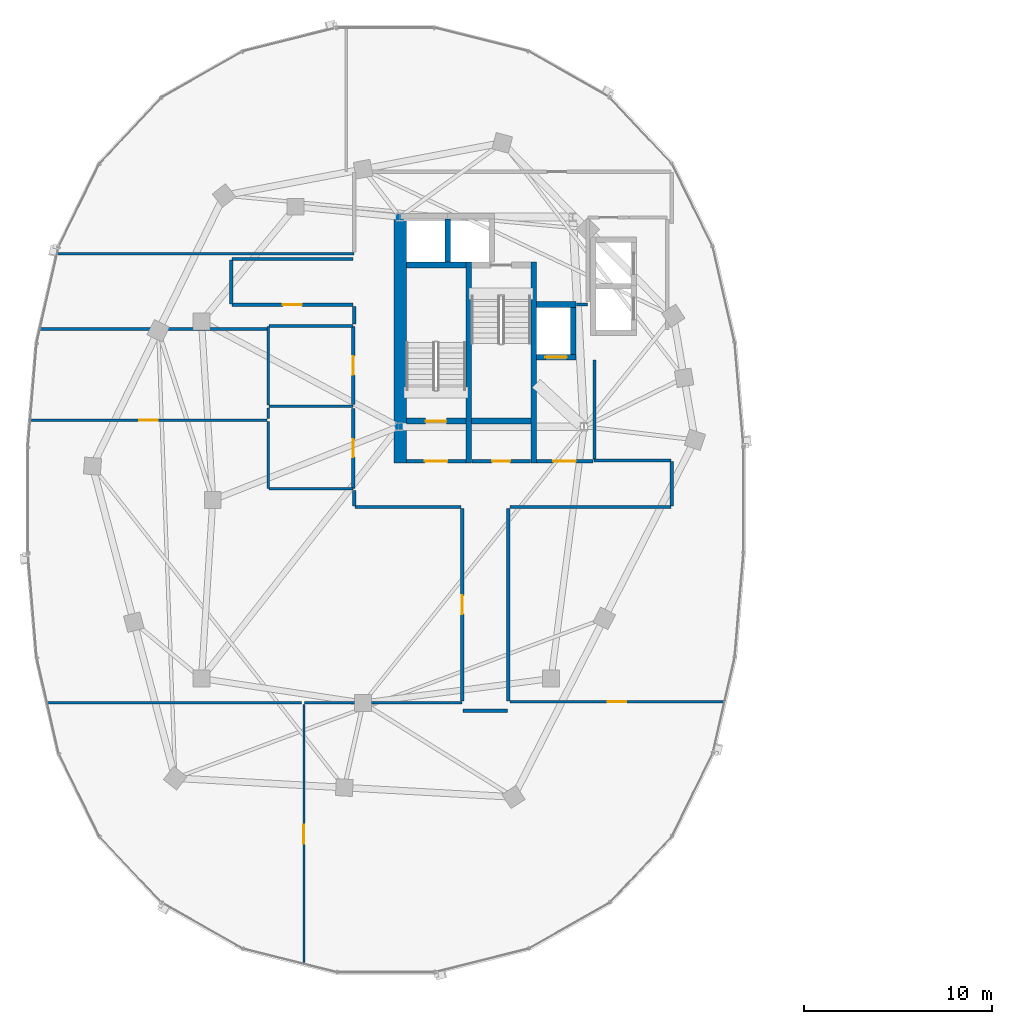
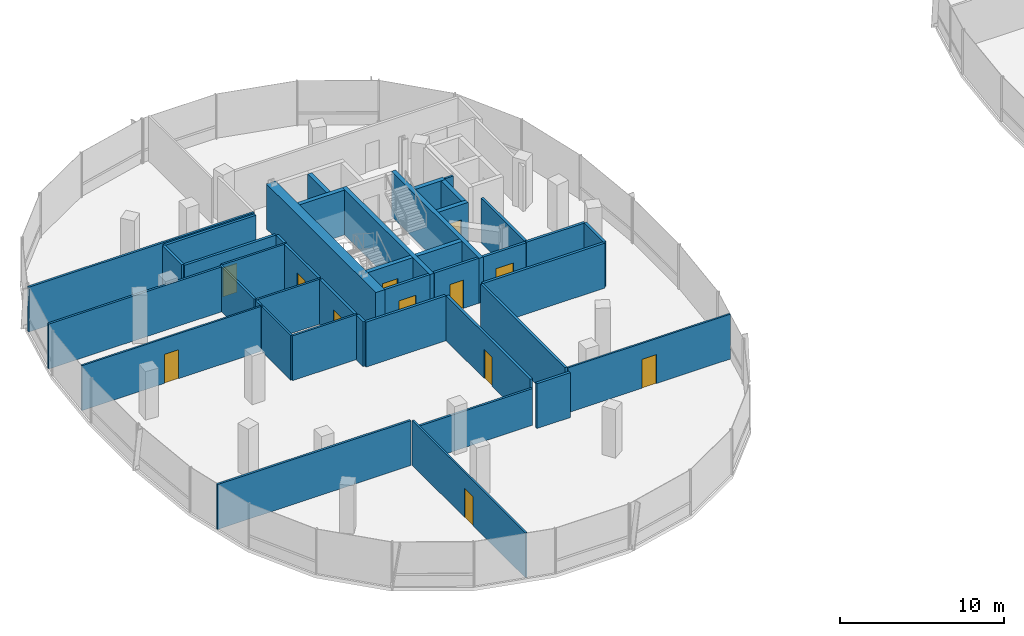
# One storey, part 15 of 25: 42 walls, 12 doors, 12 openings.
"""IFC4 building model written with IfcOpenShell, lengths in metres."""

from ifc_helpers import new_model, si_unit, direction, frame, frame_2d, origin, place, context, subcontext, project, spatial, rectangle, extrude, material, layer, layer_set, type_object, element, fill, save


model = new_model("IFC4")

# Units and contexts
model_context = context("Model", 3, precision=1e-05, world=origin(), true_north=direction((0.0, 1.0)))
body_context = subcontext(model_context, "Body", "Model", "MODEL_VIEW")
ifc_project = project(units=[si_unit("LENGTHUNIT", "METRE"), si_unit("AREAUNIT", "SQUARE_METRE"), si_unit("VOLUMEUNIT", "CUBIC_METRE"), si_unit("PLANEANGLEUNIT", "RADIAN"), si_unit("MASSUNIT", "GRAM", prefix="KILO"), si_unit("THERMODYNAMICTEMPERATUREUNIT", "KELVIN"), si_unit("POWERUNIT", "WATT")], contexts=[model_context])

# Site, building, storey
site_placement = place(None, origin())
site = spatial("IfcSite", under=ifc_project, at=site_placement, CompositionType="ELEMENT")
building_placement = place(site_placement, origin())
building = spatial("IfcBuilding", under=site, at=building_placement, Name="Cundina Bronze Exchange", CompositionType="ELEMENT")
storey_placement = place(building_placement, frame((0.0, 0.0, 213.39990234375)))
storey = spatial("IfcBuildingStorey", under=building, at=storey_placement, Name="L56", CompositionType="ELEMENT", Elevation=213.39990234375)

# Wall
ifc_material_1 = material(Name="Gypsum Fireboard Partition EI120")
ifc_layer_1 = layer(ifc_material_1, 0.179931640625, Name="Gypsum Fireboard Partition EI120")
ifc_layer_set_1 = layer_set([ifc_layer_1], Name="Gypsum Fireboard Partition EI120")
wall_type_1 = type_object("IfcWallType", Name="WL-COR-180", PredefinedType="PARTITIONING", material=ifc_layer_set_1)
wall_1_placement = place(storey_placement, frame((-20.889892578125, 2.14990234375, 0.0), z_axis=(0.0, 0.0, 1.0), x_axis=(0.0, 1.0, 0.0)))
element("IfcWall", 1, at=wall_1_placement, inside=storey, type_object=wall_type_1, Name="L56 W Firefighting Lobby Side Wall", PredefinedType="PARTITIONING", context=body_context, shape_type="SweptSolid", body=[
    extrude(rectangle(XDim=5.300048828125, YDim=0.179931640625, at=frame_2d((2.64990234375, 0.0))), origin(), (0.0, 0.0, 1.0), 3.340087890625),
])

# Wall, opening, door
wall_2_placement = place(storey_placement, frame((-23.97998046875, 2.06005859375, 0.0), z_axis=(0.0, 0.0, 1.0), x_axis=(1.0, 0.0, 0.0)))
wall_2 = element("IfcWall", 2, at=wall_2_placement, inside=storey, type_object=wall_type_1, Name="L56 W Firefighting Lobby Exit Wall", PredefinedType="PARTITIONING", context=body_context, shape_type="SweptSolid", body=[
    extrude(rectangle(XDim=3.0, YDim=0.179931640625, at=frame_2d((1.5, 0.0))), origin(), (0.0, 0.0, 1.0), 3.340087890625),
])
opening_1_placement = place(wall_2_placement, frame((0.89990234375, 0.0, 0.0)))
opening_1 = element("IfcOpeningElement", 3, at=opening_1_placement, cuts=wall_2, Name="Opening DF-01", PredefinedType="OPENING", context=body_context, shape_type="SweptSolid", body=[
    extrude(rectangle(XDim=1.199951171875, YDim=2.14990234375, at=frame_2d((0.60009765625, 1.074951171875))), frame((0.0, 0.099853515625, 0.0), z_axis=(0.0, -1.0, 0.0), x_axis=(1.0, 0.0, 0.0)), (0.0, 0.0, 1.0), 0.199951171875),
])
ifc_material_2 = material(Name="Steel ASTM A36 Painted", Category="steel")
door_type_1 = type_object("IfcDoorType", Name="DR-FFL-1200", OperationType="NOTDEFINED", PredefinedType="DOOR", material=ifc_material_2)
door_1_placement = place(opening_1_placement, origin())
door_1 = element("IfcDoor", 4, at=door_1_placement, inside=storey, type_object=door_type_1, Name="L56 W Firefighting Lobby Door", OperationType="SINGLE_SWING_RIGHT", OverallHeight=2.14990234375, OverallWidth=1.199951171875, PredefinedType="DOOR", context=body_context, shape_type="SweptSolid", body=[
    extrude(rectangle(XDim=1.199951171875, YDim=2.14990234375, at=frame_2d((0.60009765625, 1.074951171875))), frame((0.0, 0.02490234375, 0.0), z_axis=(0.0, -1.0, 0.0), x_axis=(1.0, 0.0, 0.0)), (0.0, 0.0, 1.0), 0.050048828125),
])
fill(opening_1, door_1)

wall_3_placement = place(storey_placement, frame((-30.89990234375, 2.06005859375, 0.0), z_axis=(0.0, 0.0, 1.0), x_axis=(1.0, 0.0, 0.0)))
wall_3 = element("IfcWall", 5, at=wall_3_placement, inside=storey, type_object=wall_type_1, Name="L56 W Stair Vestibule Exit Wall", PredefinedType="PARTITIONING", context=body_context, shape_type="SweptSolid", body=[
    extrude(rectangle(XDim=3.159912109375, YDim=0.179931640625, at=frame_2d((1.580078125, 0.0))), origin(), (0.0, 0.0, 1.0), 3.340087890625),
])
opening_2_placement = place(wall_3_placement, frame((0.97998046875, 0.0, 0.0)))
opening_2 = element("IfcOpeningElement", 6, at=opening_2_placement, cuts=wall_3, Name="Opening DF-01", PredefinedType="OPENING", context=body_context, shape_type="SweptSolid", body=[
    extrude(rectangle(XDim=1.199951171875, YDim=2.14990234375, at=frame_2d((0.60009765625, 1.074951171875))), frame((0.0, 0.099853515625, 0.0), z_axis=(0.0, -1.0, 0.0), x_axis=(1.0, 0.0, 0.0)), (0.0, 0.0, 1.0), 0.199951171875),
])
door_2_placement = place(opening_2_placement, origin())
door_2 = element("IfcDoor", 7, at=door_2_placement, inside=storey, type_object=door_type_1, Name="L56 W Stair Vestibule Door", OperationType="SINGLE_SWING_LEFT", OverallHeight=2.14990234375, OverallWidth=1.199951171875, PredefinedType="DOOR", context=body_context, shape_type="SweptSolid", body=[
    extrude(rectangle(XDim=1.199951171875, YDim=2.14990234375, at=frame_2d((0.60009765625, 1.074951171875))), frame((0.0, 0.02490234375, 0.0), z_axis=(0.0, -1.0, 0.0), x_axis=(1.0, 0.0, 0.0)), (0.0, 0.0, 1.0), 0.050048828125),
])
fill(opening_2, door_2)

wall_4_placement = place(storey_placement, frame((-27.419921875, 2.070068359375, 0.0), z_axis=(0.0, 0.0, 1.0), x_axis=(1.0, 0.0, 0.0)))
wall_4 = element("IfcWall", 8, at=wall_4_placement, inside=storey, type_object=wall_type_1, Name="L56 Interior Partition 006", PredefinedType="PARTITIONING", context=body_context, shape_type="SweptSolid", body=[
    extrude(rectangle(XDim=3.119873046875, YDim=0.179931640625, at=frame_2d((1.56005859375, 0.0))), origin(), (0.0, 0.0, 1.0), 3.340087890625),
])
opening_3_placement = place(wall_4_placement, frame((1.0849609375, 0.0, 0.0)))
opening_3 = element("IfcOpeningElement", 9, at=opening_3_placement, cuts=wall_4, Name="Opening DW-01", PredefinedType="OPENING", context=body_context, shape_type="SweptSolid", body=[
    extrude(rectangle(XDim=0.949951171875, YDim=2.10009765625, at=frame_2d((0.47509765625, 1.050048828125))), frame((0.0, 0.099853515625, 0.0), z_axis=(0.0, -1.0, 0.0), x_axis=(1.0, 0.0, 0.0)), (0.0, 0.0, 1.0), 0.199951171875),
])
ifc_material_3 = material(Name="Solid Andean Oak Timber Grade A", Category="wood")
door_type_2 = type_object("IfcDoorType", Name="DR-WC-950", OperationType="NOTDEFINED", PredefinedType="DOOR", material=ifc_material_3)
door_3_placement = place(opening_3_placement, origin())
door_3 = element("IfcDoor", 10, at=door_3_placement, inside=storey, type_object=door_type_2, Name="L56 Interior Door 006", OperationType="SINGLE_SWING_LEFT", OverallHeight=2.10009765625, OverallWidth=0.949951171875, PredefinedType="DOOR", context=body_context, shape_type="SweptSolid", body=[
    extrude(rectangle(XDim=0.949951171875, YDim=2.10009765625, at=frame_2d((0.47509765625, 1.050048828125))), frame((0.0, 0.02490234375, 0.0), z_axis=(0.0, -1.0, 0.0), x_axis=(1.0, 0.0, 0.0)), (0.0, 0.0, 1.0), 0.050048828125),
])
fill(opening_3, door_3)

wall_5_placement = place(storey_placement, frame((-33.719970703125, 0.6201171875, 0.0), z_axis=(0.0, 0.0, 1.0), x_axis=(0.0, 1.0, 0.0)))
wall_5 = element("IfcWall", 11, at=wall_5_placement, inside=storey, type_object=wall_type_1, Name="L56 Interior Partition 013", PredefinedType="PARTITIONING", context=body_context, shape_type="SweptSolid", body=[
    extrude(rectangle(XDim=4.259765625, YDim=0.179931640625, at=frame_2d((2.1298828125, 0.0))), origin(), (0.0, 0.0, 1.0), 3.340087890625),
])
opening_4_placement = place(wall_5_placement, frame((1.655029296875, 0.0, 0.0)))
opening_4 = element("IfcOpeningElement", 12, at=opening_4_placement, cuts=wall_5, Name="Opening DW-01", PredefinedType="OPENING", context=body_context, shape_type="SweptSolid", body=[
    extrude(rectangle(XDim=0.949951171875, YDim=2.10009765625, at=frame_2d((0.47509765625, 1.050048828125))), frame((0.0, 0.099853515625, 0.0), z_axis=(0.0, -1.0, 0.0), x_axis=(1.0, 0.0, 0.0)), (0.0, 0.0, 1.0), 0.199951171875),
])
door_4_placement = place(opening_4_placement, origin())
door_4 = element("IfcDoor", 13, at=door_4_placement, inside=storey, type_object=door_type_2, Name="L56 Interior Door 013", OperationType="SINGLE_SWING_LEFT", OverallHeight=2.10009765625, OverallWidth=0.949951171875, PredefinedType="DOOR", context=body_context, shape_type="SweptSolid", body=[
    extrude(rectangle(XDim=0.949951171875, YDim=2.10009765625, at=frame_2d((0.47509765625, 1.050048828125))), frame((0.0, 0.02490234375, 0.0), z_axis=(0.0, -1.0, 0.0), x_axis=(1.0, 0.0, 0.0)), (0.0, 0.0, 1.0), 0.050048828125),
])
fill(opening_4, door_4)

wall_6_placement = place(storey_placement, frame((-33.719970703125, 5.080078125, 0.0), z_axis=(0.0, 0.0, 1.0), x_axis=(0.0, 1.0, 0.0)))
wall_6 = element("IfcWall", 14, at=wall_6_placement, inside=storey, type_object=wall_type_1, Name="L56 Interior Partition 014", PredefinedType="PARTITIONING", context=body_context, shape_type="SweptSolid", body=[
    extrude(rectangle(XDim=4.159912109375, YDim=0.179931640625, at=frame_2d((2.080078125, 0.0))), origin(), (0.0, 0.0, 1.0), 3.340087890625),
])
opening_5_placement = place(wall_6_placement, frame((1.580078125, 0.0, 0.0)))
opening_5 = element("IfcOpeningElement", 15, at=opening_5_placement, cuts=wall_6, Name="Opening DO-01", PredefinedType="OPENING", context=body_context, shape_type="SweptSolid", body=[
    extrude(rectangle(XDim=1.0, YDim=2.14990234375, at=frame_2d((0.5, 1.074951171875))), frame((0.0, 0.099853515625, 0.0), z_axis=(0.0, -1.0, 0.0), x_axis=(1.0, 0.0, 0.0)), (0.0, 0.0, 1.0), 0.199951171875),
])
door_type_3 = type_object("IfcDoorType", Name="DR-OFF-1000", OperationType="NOTDEFINED", PredefinedType="DOOR", material=ifc_material_3)
door_5_placement = place(opening_5_placement, origin())
door_5 = element("IfcDoor", 16, at=door_5_placement, inside=storey, type_object=door_type_3, Name="L56 Interior Door 014", OperationType="SINGLE_SWING_LEFT", OverallHeight=2.14990234375, OverallWidth=1.0, PredefinedType="DOOR", context=body_context, shape_type="SweptSolid", body=[
    extrude(rectangle(XDim=1.0, YDim=2.14990234375, at=frame_2d((0.5, 1.074951171875))), frame((0.0, 0.02490234375, 0.0), z_axis=(0.0, -1.0, 0.0), x_axis=(1.0, 0.0, 0.0)), (0.0, 0.0, 1.0), 0.050048828125),
])
fill(opening_5, door_5)

# Wall
wall_7_placement = place(storey_placement, frame((-27.87841796875, -11.219970703125, 0.0), z_axis=(0.0, 0.0, 1.0), x_axis=(1.0, 0.0, 0.0)))
element("IfcWall", 17, at=wall_7_placement, inside=storey, type_object=wall_type_1, Name="L56 Interior Partition 020", PredefinedType="PARTITIONING", context=body_context, shape_type="SweptSolid", body=[
    extrude(rectangle(XDim=2.35693359375, YDim=0.179931640625, at=frame_2d((1.178466796875, 0.0))), origin(), (0.0, 0.0, 1.0), 3.340087890625),
])

# Wall, opening, door
wall_8_placement = place(storey_placement, frame((-27.919921875, -0.449951171875, 0.0), z_axis=(0.0, 0.0, 1.0), x_axis=(0.0, -1.0, 0.0)))
wall_8 = element("IfcWall", 18, at=wall_8_placement, inside=storey, type_object=wall_type_1, Name="L56 Interior Partition 021", PredefinedType="PARTITIONING", context=body_context, shape_type="SweptSolid", body=[
    extrude(rectangle(XDim=10.25, YDim=0.179931640625, at=frame_2d((5.125, 0.0))), origin(), (0.0, 0.0, 1.0), 3.340087890625),
])
opening_6_placement = place(wall_8_placement, frame((4.625, 0.0, 0.0)))
opening_6 = element("IfcOpeningElement", 19, at=opening_6_placement, cuts=wall_8, Name="Opening DO-01", PredefinedType="OPENING", context=body_context, shape_type="SweptSolid", body=[
    extrude(rectangle(XDim=1.0, YDim=2.14990234375, at=frame_2d((0.5, 1.074951171875))), frame((0.0, 0.099853515625, 0.0), z_axis=(0.0, -1.0, 0.0), x_axis=(1.0, 0.0, 0.0)), (0.0, 0.0, 1.0), 0.199951171875),
])
door_6_placement = place(opening_6_placement, origin())
door_6 = element("IfcDoor", 20, at=door_6_placement, inside=storey, type_object=door_type_3, Name="L56 Interior Door 021", OperationType="SINGLE_SWING_RIGHT", OverallHeight=2.14990234375, OverallWidth=1.0, PredefinedType="DOOR", context=body_context, shape_type="SweptSolid", body=[
    extrude(rectangle(XDim=1.0, YDim=2.14990234375, at=frame_2d((0.5, 1.074951171875))), frame((0.0, 0.02490234375, 0.0), z_axis=(0.0, -1.0, 0.0), x_axis=(1.0, 0.0, 0.0)), (0.0, 0.0, 1.0), 0.050048828125),
])
fill(opening_6, door_6)

# Walls
wall_9_placement = place(storey_placement, frame((-33.62841796875, -0.3701171875, 0.0), z_axis=(0.0, 0.0, 1.0), x_axis=(1.0, 0.0, 0.0)))
element("IfcWall", 21, at=wall_9_placement, inside=storey, type_object=wall_type_1, Name="L56 Interior Partition 022", PredefinedType="PARTITIONING", context=body_context, shape_type="SweptSolid", body=[
    extrude(rectangle(XDim=5.62841796875, YDim=0.179931640625, at=frame_2d((2.814208984375, 0.0))), origin(), (0.0, 0.0, 1.0), 3.340087890625),
])
wall_10_placement = place(storey_placement, frame((-33.669921875, 0.508544921875, 0.0), z_axis=(0.0, 0.0, 1.0), x_axis=(0.0, -1.0, 0.0)))
element("IfcWall", 22, at=wall_10_placement, inside=storey, type_object=wall_type_1, Name="L56 Interior Partition 023", PredefinedType="PARTITIONING", context=body_context, shape_type="SweptSolid", body=[
    extrude(rectangle(XDim=0.837158203125, YDim=0.179931640625, at=frame_2d((0.41845703125, 0.0))), origin(), (0.0, 0.0, 1.0), 3.340087890625),
])
wall_11_placement = place(storey_placement, frame((-25.47998046875, -10.699951171875, 0.0), z_axis=(0.0, 0.0, 1.0), x_axis=(0.0, 1.0, 0.0)))
element("IfcWall", 23, at=wall_11_placement, inside=storey, type_object=wall_type_1, Name="L56 Interior Partition 025", PredefinedType="PARTITIONING", context=body_context, shape_type="SweptSolid", body=[
    extrude(rectangle(XDim=10.25, YDim=0.179931640625, at=frame_2d((5.125, 0.0))), origin(), (0.0, 0.0, 1.0), 3.340087890625),
])
wall_12_placement = place(storey_placement, frame((-25.39990234375, -0.3701171875, 0.0), z_axis=(0.0, 0.0, 1.0), x_axis=(1.0, 0.0, 0.0)))
element("IfcWall", 24, at=wall_12_placement, inside=storey, type_object=wall_type_1, Name="L56 Interior Partition 026", PredefinedType="PARTITIONING", context=body_context, shape_type="SweptSolid", body=[
    extrude(rectangle(XDim=8.578369140625, YDim=0.179931640625, at=frame_2d((4.2890625, 0.0))), origin(), (0.0, 0.0, 1.0), 3.340087890625),
])
wall_13_placement = place(storey_placement, frame((-16.821533203125, 2.10009765625, 0.0), z_axis=(0.0, 0.0, 1.0), x_axis=(-1.0, 0.0, 0.0)))
element("IfcWall", 25, at=wall_13_placement, inside=storey, type_object=wall_type_1, Name="L56 Interior Partition 028", PredefinedType="PARTITIONING", context=body_context, shape_type="SweptSolid", body=[
    extrude(rectangle(XDim=4.098388671875, YDim=0.179931640625, at=frame_2d((2.04931640625, 0.0))), origin(), (0.0, 0.0, 1.0), 3.340087890625),
])
wall_14_placement = place(storey_placement, frame((-16.780029296875, -0.32861328125, 0.0), z_axis=(0.0, 0.0, 1.0), x_axis=(0.0, 1.0, 0.0)))
element("IfcWall", 26, at=wall_14_placement, inside=storey, type_object=wall_type_1, Name="L56 Interior Partition 030", PredefinedType="PARTITIONING", context=body_context, shape_type="SweptSolid", body=[
    extrude(rectangle(XDim=2.38720703125, YDim=0.179931640625, at=frame_2d((1.193603515625, 0.0))), origin(), (0.0, 0.0, 1.0), 3.340087890625),
])
wall_15_placement = place(storey_placement, frame((-33.75, 12.820068359375, 0.0), z_axis=(0.0, 0.0, 1.0), x_axis=(-1.0, 0.0, 0.0)))
element("IfcWall", 27, at=wall_15_placement, inside=storey, type_object=wall_type_1, Name="L56 Interior Partition 031", PredefinedType="PARTITIONING", context=body_context, shape_type="SweptSolid", body=[
    extrude(rectangle(XDim=6.428466796875, YDim=0.179931640625, at=frame_2d((3.21435546875, 0.0))), origin(), (0.0, 0.0, 1.0), 3.340087890625),
])

# Wall, opening, door
wall_16_placement = place(storey_placement, frame((-40.178466796875, 10.3798828125, 0.0), z_axis=(0.0, 0.0, 1.0), x_axis=(1.0, 0.0, 0.0)))
wall_16 = element("IfcWall", 28, at=wall_16_placement, inside=storey, type_object=wall_type_1, Name="L56 Interior Partition 032", PredefinedType="PARTITIONING", context=body_context, shape_type="SweptSolid", body=[
    extrude(rectangle(XDim=6.428466796875, YDim=0.179931640625, at=frame_2d((3.21435546875, 0.0))), origin(), (0.0, 0.0, 1.0), 3.340087890625),
])
opening_7_placement = place(wall_16_placement, frame((2.714111328125, 0.0, 0.0)))
opening_7 = element("IfcOpeningElement", 29, at=opening_7_placement, cuts=wall_16, Name="Opening DO-01", PredefinedType="OPENING", context=body_context, shape_type="SweptSolid", body=[
    extrude(rectangle(XDim=1.0, YDim=2.14990234375, at=frame_2d((0.5, 1.074951171875))), frame((0.0, 0.099853515625, 0.0), z_axis=(0.0, -1.0, 0.0), x_axis=(1.0, 0.0, 0.0)), (0.0, 0.0, 1.0), 0.199951171875),
])
door_7_placement = place(opening_7_placement, origin())
door_7 = element("IfcDoor", 30, at=door_7_placement, inside=storey, type_object=door_type_3, Name="L56 Interior Door 032", OperationType="SINGLE_SWING_LEFT", OverallHeight=2.14990234375, OverallWidth=1.0, PredefinedType="DOOR", context=body_context, shape_type="SweptSolid", body=[
    extrude(rectangle(XDim=1.0, YDim=2.14990234375, at=frame_2d((0.5, 1.074951171875))), frame((0.0, 0.02490234375, 0.0), z_axis=(0.0, -1.0, 0.0), x_axis=(1.0, 0.0, 0.0)), (0.0, 0.0, 1.0), 0.050048828125),
])
fill(opening_7, door_7)

# Walls
wall_17_placement = place(storey_placement, frame((-40.219970703125, 12.778564453125, 0.0), z_axis=(0.0, 0.0, 1.0), x_axis=(0.0, -1.0, 0.0)))
element("IfcWall", 31, at=wall_17_placement, inside=storey, type_object=wall_type_1, Name="L56 Interior Partition 033", PredefinedType="PARTITIONING", context=body_context, shape_type="SweptSolid", body=[
    extrude(rectangle(XDim=2.357177734375, YDim=0.179931640625, at=frame_2d((1.1787109375, 0.0))), origin(), (0.0, 0.0, 1.0), 3.340087890625),
])
wall_18_placement = place(storey_placement, frame((-33.669921875, 10.300048828125, 0.0), z_axis=(0.0, 0.0, 1.0), x_axis=(0.0, -1.0, 0.0)))
element("IfcWall", 32, at=wall_18_placement, inside=storey, type_object=wall_type_1, Name="L56 Interior Partition 034", PredefinedType="PARTITIONING", context=body_context, shape_type="SweptSolid", body=[
    extrude(rectangle(XDim=0.94873046875, YDim=0.179931640625, at=frame_2d((0.474365234375, 0.0))), origin(), (0.0, 0.0, 1.0), 3.340087890625),
])
ifc_material_4 = material(Name="Concrete C50/60", Category="concrete")
ifc_layer_2 = layer(ifc_material_4, 0.64990234375, Name="Concrete C50/60", Category="concrete")
ifc_layer_set_2 = layer_set([ifc_layer_2], Name="Concrete C50/60")
wall_type_2 = type_object("IfcWallType", Name="WL-CORE-650", PredefinedType="SHEAR", material=ifc_layer_set_2)
wall_19_placement = place(storey_placement, frame((-31.22509765625, 1.969970703125, 0.0), z_axis=(0.0, 0.0, 1.0), x_axis=(0.0, 1.0, 0.0)))
element("IfcWall", 33, at=wall_19_placement, inside=storey, type_object=wall_type_2, Name="L56 W Primary Core Shear Spine Wall", PredefinedType="SHEAR", context=body_context, shape_type="SweptSolid", body=[
    extrude(rectangle(XDim=13.330078125, YDim=0.64990234375, at=frame_2d((6.6650390625, 0.0))), origin(), (0.0, 0.0, 1.0), 3.340087890625),
])

# Wall, opening, door
ifc_material_5 = material(Name="Gypsum Acoustic Partition EI60")
ifc_layer_3 = layer(ifc_material_5, 0.125, Name="Gypsum Acoustic Partition EI60")
ifc_layer_set_3 = layer_set([ifc_layer_3], Name="Gypsum Acoustic Partition EI60")
wall_type_3 = type_object("IfcWallType", Name="WL-OFF-125", PredefinedType="PARTITIONING", material=ifc_layer_set_3)
wall_20_placement = place(storey_placement, frame((-25.39990234375, -10.739990234375, 0.0), z_axis=(0.0, 0.0, 1.0), x_axis=(1.0, 0.0, 0.0)))
wall_20 = element("IfcWall", 34, at=wall_20_placement, inside=storey, type_object=wall_type_3, Name="L56 Interior Partition 035", PredefinedType="PARTITIONING", context=body_context, shape_type="SweptSolid", body=[
    extrude(rectangle(XDim=11.414794921875, YDim=0.125, at=frame_2d((5.70751953125, 0.0))), origin(), (0.0, 0.0, 1.0), 3.340087890625),
])
opening_8_placement = place(wall_20_placement, frame((5.20751953125, 0.0, 0.0)))
opening_8 = element("IfcOpeningElement", 35, at=opening_8_placement, cuts=wall_20, Name="Opening DO-01", PredefinedType="OPENING", context=body_context, shape_type="SweptSolid", body=[
    extrude(rectangle(XDim=1.0, YDim=2.14990234375, at=frame_2d((0.5, 1.074951171875))), frame((0.0, 0.072509765625, 0.0), z_axis=(0.0, -1.0, 0.0), x_axis=(1.0, 0.0, 0.0)), (0.0, 0.0, 1.0), 0.14501953125),
])
door_8_placement = place(opening_8_placement, origin())
door_8 = element("IfcDoor", 36, at=door_8_placement, inside=storey, type_object=door_type_3, Name="L56 Interior Door 035", OperationType="SINGLE_SWING_LEFT", OverallHeight=2.14990234375, OverallWidth=1.0, PredefinedType="DOOR", context=body_context, shape_type="SweptSolid", body=[
    extrude(rectangle(XDim=1.0, YDim=2.14990234375, at=frame_2d((0.5, 1.074951171875))), frame((0.0, 0.02490234375, 0.0), z_axis=(0.0, -1.0, 0.0), x_axis=(1.0, 0.0, 0.0)), (0.0, 0.0, 1.0), 0.050048828125),
])
fill(opening_8, door_8)

wall_21_placement = place(storey_placement, frame((-36.35009765625, -10.8798828125, 0.0), z_axis=(0.0, 0.0, 1.0), x_axis=(0.0, -1.0, 0.0)))
wall_21 = element("IfcWall", 37, at=wall_21_placement, inside=storey, type_object=wall_type_3, Name="L56 Interior Partition 036", PredefinedType="PARTITIONING", context=body_context, shape_type="SweptSolid", body=[
    extrude(rectangle(XDim=13.794189453125, YDim=0.125, at=frame_2d((6.89697265625, 0.0))), origin(), (0.0, 0.0, 1.0), 3.340087890625),
])
opening_9_placement = place(wall_21_placement, frame((6.39697265625, 0.0, 0.0)))
opening_9 = element("IfcOpeningElement", 38, at=opening_9_placement, cuts=wall_21, Name="Opening DO-01", PredefinedType="OPENING", context=body_context, shape_type="SweptSolid", body=[
    extrude(rectangle(XDim=1.0, YDim=2.14990234375, at=frame_2d((0.5, 1.074951171875))), frame((0.0, 0.072509765625, 0.0), z_axis=(0.0, -1.0, 0.0), x_axis=(1.0, 0.0, 0.0)), (0.0, 0.0, 1.0), 0.14501953125),
])
door_9_placement = place(opening_9_placement, origin())
door_9 = element("IfcDoor", 39, at=door_9_placement, inside=storey, type_object=door_type_3, Name="L56 Interior Door 036", OperationType="SINGLE_SWING_RIGHT", OverallHeight=2.14990234375, OverallWidth=1.0, PredefinedType="DOOR", context=body_context, shape_type="SweptSolid", body=[
    extrude(rectangle(XDim=1.0, YDim=2.14990234375, at=frame_2d((0.5, 1.074951171875))), frame((0.0, 0.02490234375, 0.0), z_axis=(0.0, -1.0, 0.0), x_axis=(1.0, 0.0, 0.0)), (0.0, 0.0, 1.0), 0.050048828125),
])
fill(opening_9, door_9)

wall_22_placement = place(storey_placement, frame((-38.320068359375, 4.25, 0.0), z_axis=(0.0, 0.0, 1.0), x_axis=(-1.0, 0.0, 0.0)))
wall_22 = element("IfcWall", 40, at=wall_22_placement, inside=storey, type_object=wall_type_3, Name="L56 Interior Partition 037", PredefinedType="PARTITIONING", context=body_context, shape_type="SweptSolid", body=[
    extrude(rectangle(XDim=12.600341796875, YDim=0.125, at=frame_2d((6.30029296875, 0.0))), origin(), (0.0, 0.0, 1.0), 3.340087890625),
])
opening_10_placement = place(wall_22_placement, frame((5.80029296875, 0.0, 0.0)))
opening_10 = element("IfcOpeningElement", 41, at=opening_10_placement, cuts=wall_22, Name="Opening DO-01", PredefinedType="OPENING", context=body_context, shape_type="SweptSolid", body=[
    extrude(rectangle(XDim=1.0, YDim=2.14990234375, at=frame_2d((0.5, 1.074951171875))), frame((0.0, 0.072509765625, 0.0), z_axis=(0.0, -1.0, 0.0), x_axis=(1.0, 0.0, 0.0)), (0.0, 0.0, 1.0), 0.14501953125),
])
door_10_placement = place(opening_10_placement, origin())
door_10 = element("IfcDoor", 42, at=door_10_placement, inside=storey, type_object=door_type_3, Name="L56 Interior Door 037", OperationType="SINGLE_SWING_LEFT", OverallHeight=2.14990234375, OverallWidth=1.0, PredefinedType="DOOR", context=body_context, shape_type="SweptSolid", body=[
    extrude(rectangle(XDim=1.0, YDim=2.14990234375, at=frame_2d((0.5, 1.074951171875))), frame((0.0, 0.02490234375, 0.0), z_axis=(0.0, -1.0, 0.0), x_axis=(1.0, 0.0, 0.0)), (0.0, 0.0, 1.0), 0.050048828125),
])
fill(opening_10, door_10)

# Walls
ifc_layer_4 = layer(ifc_material_4, 0.300048828125, Name="Concrete C50/60", Category="concrete")
ifc_layer_set_4 = layer_set([ifc_layer_4], Name="Concrete C50/60")
wall_type_4 = type_object("IfcWallType", Name="WL-SHFT-300", PredefinedType="SHEAR", material=ifc_layer_set_4)
for number, where, z_axis, x_axis, name in (
    (43, (-27.590087890625, 1.969970703125, 0.0), (0.0, 0.0, 1.0), (0.0, 1.0, 0.0), "L56 W Stair Shaft Dividing Shear Wall"),
    (44, (-24.1298828125, 1.969970703125, 0.0), (0.0, 0.0, 1.0), (0.0, 1.0, 0.0), "L56 W Stair 2 East Shear Wall"),
):
    element("IfcWall", number, at=place(storey_placement, frame(where, z_axis=z_axis, x_axis=x_axis)), inside=storey, type_object=wall_type_4, Name=name, PredefinedType="SHEAR", context=body_context, shape_type="SweptSolid", body=[
        extrude(rectangle(XDim=10.679931640625, YDim=0.300048828125, at=frame_2d((5.33984375, 0.0))), origin(), (0.0, 0.0, 1.0), 3.340087890625),
    ])

# Wall, opening, door
wall_23_placement = place(storey_placement, frame((-30.89990234375, 4.199951171875, 0.0), z_axis=(0.0, 0.0, 1.0), x_axis=(1.0, 0.0, 0.0)))
wall_23 = element("IfcWall", 45, at=wall_23_placement, inside=storey, type_object=wall_type_4, Name="L56 Stair W1 Landing Wall", PredefinedType="SHEAR", context=body_context, shape_type="SweptSolid", body=[
    extrude(rectangle(XDim=3.159912109375, YDim=0.300048828125, at=frame_2d((1.580078125, 0.0))), origin(), (0.0, 0.0, 1.0), 3.340087890625),
])
opening_11_placement = place(wall_23_placement, frame((1.030029296875, 0.0, 0.0)))
opening_11 = element("IfcOpeningElement", 46, at=opening_11_placement, cuts=wall_23, Name="Opening DS-01", PredefinedType="OPENING", context=body_context, shape_type="SweptSolid", body=[
    extrude(rectangle(XDim=1.10009765625, YDim=2.14990234375, at=frame_2d((0.550048828125, 1.074951171875))), frame((0.0, 0.159912109375, 0.0), z_axis=(0.0, -1.0, 0.0), x_axis=(1.0, 0.0, 0.0)), (0.0, 0.0, 1.0), 0.320068359375),
])
door_type_4 = type_object("IfcDoorType", Name="DR-STR-1100", OperationType="NOTDEFINED", PredefinedType="DOOR", material=ifc_material_2)
door_11_placement = place(opening_11_placement, origin())
door_11 = element("IfcDoor", 47, at=door_11_placement, inside=storey, type_object=door_type_4, Name="L56 Smokeproof Stair W1 Door", OperationType="SINGLE_SWING_RIGHT", OverallHeight=2.14990234375, OverallWidth=1.10009765625, PredefinedType="DOOR", context=body_context, shape_type="SweptSolid", body=[
    extrude(rectangle(XDim=1.10009765625, YDim=2.14990234375, at=frame_2d((0.550048828125, 1.074951171875))), frame((0.0, 0.02490234375, 0.0), z_axis=(0.0, -1.0, 0.0), x_axis=(1.0, 0.0, 0.0)), (0.0, 0.0, 1.0), 0.050048828125),
])
fill(opening_11, door_11)

# Walls
for number, where, z_axis, x_axis, name in (
    (48, (-30.89990234375, 12.5, 0.0), (0.0, 0.0, 1.0), (1.0, 0.0, 0.0), "L56 Stair W1 Far Shaft Wall"),
    (49, (-27.43994140625, 4.199951171875, 0.0), (0.0, 0.0, 1.0), (1.0, 0.0, 0.0), "L56 Stair W2 Far Shaft Wall"),
):
    element("IfcWall", number, at=place(storey_placement, frame(where, z_axis=z_axis, x_axis=x_axis)), inside=storey, type_object=wall_type_4, Name=name, PredefinedType="SHEAR", context=body_context, shape_type="SweptSolid", body=[
        extrude(rectangle(XDim=3.159912109375, YDim=0.300048828125, at=frame_2d((1.580078125, 0.0))), origin(), (0.0, 0.0, 1.0), 3.340087890625),
    ])

# Wall, opening, door
wall_24_placement = place(storey_placement, frame((-23.97998046875, 7.60009765625, 0.0), z_axis=(0.0, 0.0, 1.0), x_axis=(1.0, 0.0, 0.0)))
wall_24 = element("IfcWall", 50, at=wall_24_placement, inside=storey, type_object=wall_type_4, Name="L56 FFL-W Hoistway Front Wall", PredefinedType="SHEAR", context=body_context, shape_type="SweptSolid", body=[
    extrude(rectangle(XDim=2.10009765625, YDim=0.300048828125, at=frame_2d((1.050048828125, 0.0))), origin(), (0.0, 0.0, 1.0), 3.340087890625),
])
opening_12_placement = place(wall_24_placement, frame((0.47509765625, 0.0, 0.0)))
opening_12 = element("IfcOpeningElement", 51, at=opening_12_placement, cuts=wall_24, Name="Opening LD-01", PredefinedType="OPENING", context=body_context, shape_type="SweptSolid", body=[
    extrude(rectangle(XDim=1.14990234375, YDim=2.199951171875, at=frame_2d((0.574951171875, 1.10009765625))), frame((0.0, 0.159912109375, 0.0), z_axis=(0.0, -1.0, 0.0), x_axis=(1.0, 0.0, 0.0)), (0.0, 0.0, 1.0), 0.320068359375),
])
door_type_5 = type_object("IfcDoorType", Name="DR-LND-1150", OperationType="NOTDEFINED", PredefinedType="TRAPDOOR", material=ifc_material_2)
door_12_placement = place(opening_12_placement, origin())
door_12 = element("IfcDoor", 52, at=door_12_placement, inside=storey, type_object=door_type_5, Name="L56 FFL-W Sliding Landing Door", OperationType="SLIDING_TO_LEFT", OverallHeight=2.199951171875, OverallWidth=1.14990234375, PredefinedType="TRAPDOOR", context=body_context, shape_type="SweptSolid", body=[
    extrude(rectangle(XDim=1.14990234375, YDim=2.199951171875, at=frame_2d((0.574951171875, 1.10009765625))), frame((0.0, 0.02490234375, 0.0), z_axis=(0.0, -1.0, 0.0), x_axis=(1.0, 0.0, 0.0)), (0.0, 0.0, 1.0), 0.050048828125),
])
fill(opening_12, door_12)

# Walls
wall_25_placement = place(storey_placement, frame((-23.97998046875, 10.39990234375, 0.0), z_axis=(0.0, 0.0, 1.0), x_axis=(1.0, 0.0, 0.0)))
element("IfcWall", 53, at=wall_25_placement, inside=storey, type_object=wall_type_4, Name="L56 FFL-W Hoistway Back Wall", PredefinedType="SHEAR", context=body_context, shape_type="SweptSolid", body=[
    extrude(rectangle(XDim=2.10009765625, YDim=0.300048828125, at=frame_2d((1.050048828125, 0.0))), origin(), (0.0, 0.0, 1.0), 3.340087890625),
])
wall_26_placement = place(storey_placement, frame((-22.030029296875, 7.75, 0.0), z_axis=(0.0, 0.0, 1.0), x_axis=(0.0, 1.0, 0.0)))
element("IfcWall", 54, at=wall_26_placement, inside=storey, type_object=wall_type_4, Name="L56 FFL-W Hoistway Side Wall", PredefinedType="SHEAR", context=body_context, shape_type="SweptSolid", body=[
    extrude(rectangle(XDim=2.5, YDim=0.300048828125, at=frame_2d((1.25, 0.0))), origin(), (0.0, 0.0, 1.0), 3.340087890625),
])
wall_27_placement = place(storey_placement, frame((-28.699951171875, 12.64990234375, 0.0), z_axis=(0.0, 0.0, 1.0), x_axis=(0.0, 1.0, 0.0)))
element("IfcWall", 55, at=wall_27_placement, inside=storey, type_object=wall_type_4, Name="L56 PH-W1 Hoistway Divider Wall", PredefinedType="SHEAR", context=body_context, shape_type="SweptSolid", body=[
    extrude(rectangle(XDim=2.300048828125, YDim=0.300048828125, at=frame_2d((1.14990234375, 0.0))), origin(), (0.0, 0.0, 1.0), 3.340087890625),
])
ifc_layer_5 = layer(ifc_material_5, 0.14990234375, Name="Gypsum Acoustic Partition EI60")
ifc_layer_set_5 = layer_set([ifc_layer_5], Name="Gypsum Acoustic Partition EI60")
wall_type_5 = type_object("IfcWallType", Name="WL-TEN-150", PredefinedType="PARTITIONING", material=ifc_layer_set_5)
wall_28_placement = place(storey_placement, frame((-50.082275390625, -10.7900390625, 0.0), z_axis=(0.0, 0.0, 1.0), x_axis=(1.0, 0.0, 0.0)))
element("IfcWall", 56, at=wall_28_placement, inside=storey, type_object=wall_type_5, Name="L56 Interior Partition 015", PredefinedType="PARTITIONING", context=body_context, shape_type="SweptSolid", body=[
    extrude(rectangle(XDim=13.59716796875, YDim=0.14990234375, at=frame_2d((6.798583984375, 0.0))), origin(), (0.0, 0.0, 1.0), 3.340087890625),
])
wall_29_placement = place(storey_placement, frame((-36.31494140625, -10.7900390625, 0.0), z_axis=(0.0, 0.0, 1.0), x_axis=(1.0, 0.0, 0.0)))
element("IfcWall", 57, at=wall_29_placement, inside=storey, type_object=wall_type_5, Name="L56 Interior Partition 016", PredefinedType="PARTITIONING", context=body_context, shape_type="SweptSolid", body=[
    extrude(rectangle(XDim=8.364990234375, YDim=0.14990234375, at=frame_2d((4.1826171875, 0.0))), origin(), (0.0, 0.0, 1.0), 2.72412109375),
])
wall_30_placement = place(storey_placement, frame((-50.469482421875, 9.10009765625, 0.0), z_axis=(0.0, 0.0, 1.0), x_axis=(1.0, 0.0, 0.0)))
element("IfcWall", 58, at=wall_30_placement, inside=storey, type_object=wall_type_5, Name="L56 Interior Partition 017", PredefinedType="PARTITIONING", context=body_context, shape_type="SweptSolid", body=[
    extrude(rectangle(XDim=12.199462890625, YDim=0.14990234375, at=frame_2d((6.099609375, 0.0))), origin(), (0.0, 0.0, 1.0), 3.340087890625),
])
wall_31_placement = place(storey_placement, frame((-49.552978515625, 13.10009765625, 0.0), z_axis=(0.0, 0.0, 1.0), x_axis=(1.0, 0.0, 0.0)))
element("IfcWall", 59, at=wall_31_placement, inside=storey, type_object=wall_type_5, Name="L56 Interior Partition 018", PredefinedType="PARTITIONING", context=body_context, shape_type="SweptSolid", body=[
    extrude(rectangle(XDim=15.85302734375, YDim=0.14990234375, at=frame_2d((7.926513671875, 0.0))), origin(), (0.0, 0.0, 1.0), 3.340087890625),
])
ifc_material_6 = material(Name="Moisture-Resistant Masonry Block Grade M15", Category="masonry")
ifc_layer_6 = layer(ifc_material_6, 0.139892578125, Name="Moisture-Resistant Masonry Block Grade M15", Category="masonry")
ifc_layer_set_6 = layer_set([ifc_layer_6], Name="Moisture-Resistant Masonry Block Grade M15")
wall_type_6 = type_object("IfcWallType", Name="WL-WET-140", PredefinedType="PARTITIONING", material=ifc_layer_set_6)
wall_32_placement = place(storey_placement, frame((-21.860107421875, 10.39990234375, 0.0), z_axis=(0.0, 0.0, 1.0), x_axis=(1.0, 0.0, 0.0)))
element("IfcWall", 60, at=wall_32_placement, inside=storey, type_object=wall_type_6, Name="L56 Interior Partition 004", PredefinedType="PARTITIONING", context=body_context, shape_type="SweptSolid", body=[
    extrude(rectangle(XDim=0.590087890625, YDim=0.139892578125, at=frame_2d((0.294921875, 0.0))), origin(), (0.0, 0.0, 1.0), 3.340087890625),
])
wall_33_placement = place(storey_placement, frame((-38.239990234375, 0.6201171875, 0.0), z_axis=(0.0, 0.0, 1.0), x_axis=(0.0, 1.0, 0.0)))
element("IfcWall", 61, at=wall_33_placement, inside=storey, type_object=wall_type_6, Name="L56 Interior Partition 007", PredefinedType="PARTITIONING", context=body_context, shape_type="SweptSolid", body=[
    extrude(rectangle(XDim=3.544921875, YDim=0.139892578125, at=frame_2d((1.7724609375, 0.0))), origin(), (0.0, 0.0, 1.0), 3.340087890625),
])
wall_34_placement = place(storey_placement, frame((-38.239990234375, 4.3349609375, 0.0), z_axis=(0.0, 0.0, 1.0), x_axis=(0.0, 1.0, 0.0)))
element("IfcWall", 62, at=wall_34_placement, inside=storey, type_object=wall_type_6, Name="L56 Interior Partition 008", PredefinedType="PARTITIONING", context=body_context, shape_type="SweptSolid", body=[
    extrude(rectangle(XDim=0.56005859375, YDim=0.139892578125, at=frame_2d((0.280029296875, 0.0))), origin(), (0.0, 0.0, 1.0), 3.340087890625),
])
wall_35_placement = place(storey_placement, frame((-38.239990234375, 5.06494140625, 0.0), z_axis=(0.0, 0.0, 1.0), x_axis=(0.0, 1.0, 0.0)))
element("IfcWall", 63, at=wall_35_placement, inside=storey, type_object=wall_type_6, Name="L56 Interior Partition 009", PredefinedType="PARTITIONING", context=body_context, shape_type="SweptSolid", body=[
    extrude(rectangle(XDim=4.175048828125, YDim=0.139892578125, at=frame_2d((2.08740234375, 0.0))), origin(), (0.0, 0.0, 1.0), 3.340087890625),
])
for number, where, z_axis, x_axis, name in (
    (64, (-38.219970703125, 0.60009765625, 0.0), (0.0, 0.0, 1.0), (1.0, 0.0, 0.0), "L56 Interior Partition 010"),
    (65, (-38.219970703125, 4.97998046875, 0.0), (0.0, 0.0, 1.0), (1.0, 0.0, 0.0), "L56 Interior Partition 011"),
    (66, (-38.219970703125, 9.260009765625, 0.0), (0.0, 0.0, 1.0), (1.0, 0.0, 0.0), "L56 Interior Partition 012"),
):
    element("IfcWall", number, at=place(storey_placement, frame(where, z_axis=z_axis, x_axis=x_axis)), inside=storey, type_object=wall_type_6, Name=name, PredefinedType="PARTITIONING", context=body_context, shape_type="SweptSolid", body=[
        extrude(rectangle(XDim=4.47998046875, YDim=0.139892578125, at=frame_2d((2.239990234375, 0.0))), origin(), (0.0, 0.0, 1.0), 3.340087890625),
    ])

save(model, "model.ifc")
